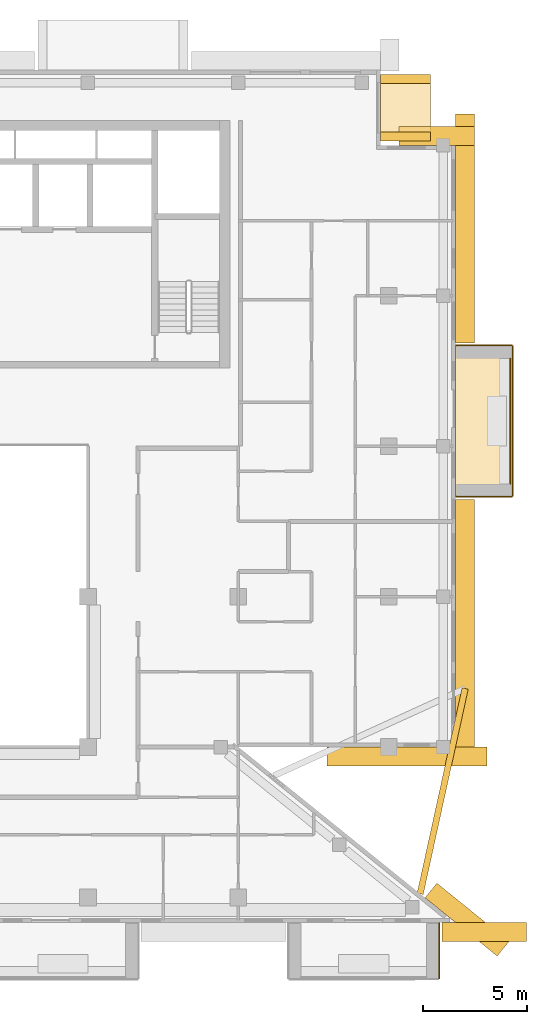
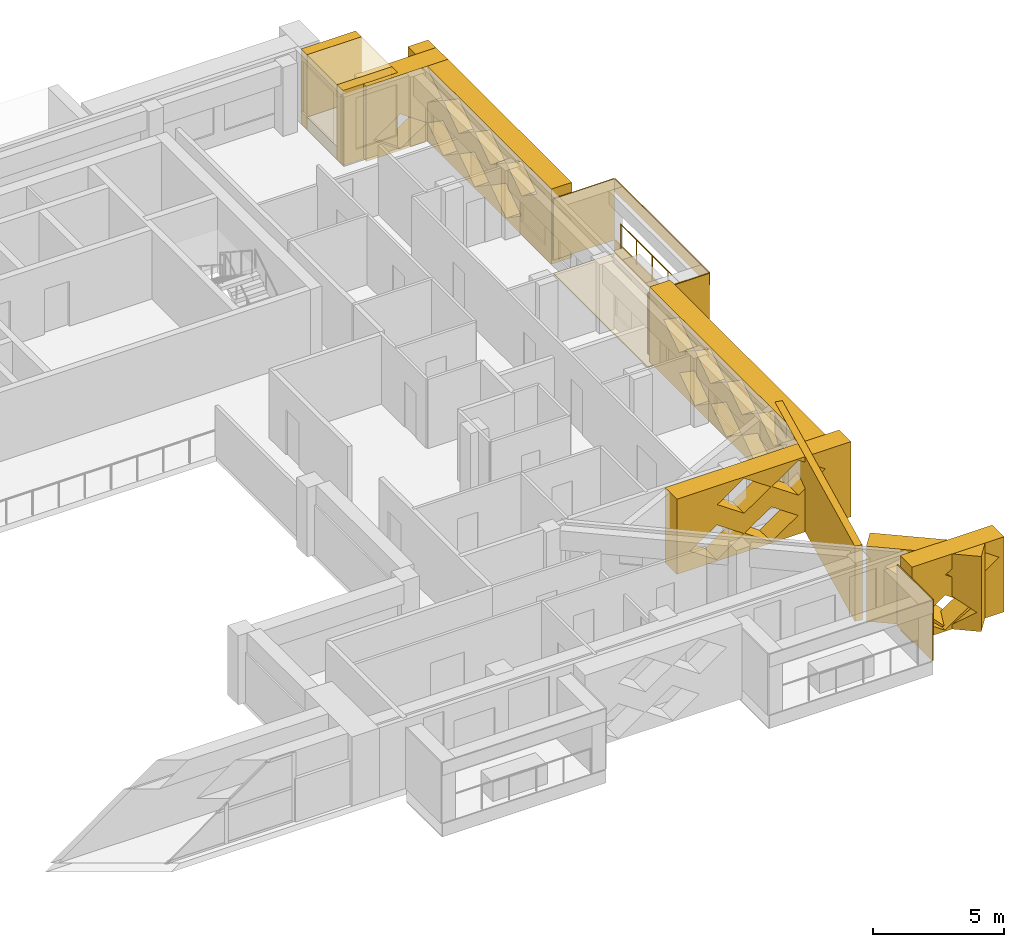
# One storey, part 19 of 19: 17 coverings, 1 railing.
"""IFC4 building model written with IfcOpenShell, lengths in metres."""

from ifc_helpers import new_model, si_unit, direction, frame, origin, origin_2d, place, context, subcontext, project, spatial, polyline, circle, outline, extrude, material, layer, layer_set, type_object, element, save


model = new_model("IFC4")

# Units and contexts
model_context = context("Model", 3, precision=1e-05, world=origin(), true_north=direction((0.0, 1.0)))
body_context = subcontext(model_context, "Body", "Model", "MODEL_VIEW")
ifc_project = project(units=[si_unit("LENGTHUNIT", "METRE"), si_unit("AREAUNIT", "SQUARE_METRE"), si_unit("VOLUMEUNIT", "CUBIC_METRE"), si_unit("PLANEANGLEUNIT", "RADIAN"), si_unit("MASSUNIT", "GRAM", prefix="KILO")], contexts=[model_context])

# Site, building, storey
site_placement = place(None, origin())
site = spatial("IfcSite", under=ifc_project, at=site_placement, CompositionType="ELEMENT")
building_placement = place(site_placement, origin())
building = spatial("IfcBuilding", under=site, at=building_placement, Name="Saffron Iwan Residences", CompositionType="ELEMENT")
storey_placement = place(building_placement, frame((0.0, 0.0, 246.5)))
storey = spatial("IfcBuildingStorey", under=building, at=storey_placement, Name="L66", CompositionType="ELEMENT", Elevation=246.5)

# Railing
ifc_material_1 = material(Name="Stainless steel 316", Category="steel")
railing_type = type_object("IfcRailingType", Name="BALCONY GUARD 1150", PredefinedType="GUARDRAIL", material=ifc_material_1)
railing_placement = place(storey_placement, frame((85.02490234375, 60.60009765625, 0.0)))
element("IfcRailing", 1, at=railing_placement, inside=storey, type_object=railing_type, Name="Balcony guard L66 F2-0", PredefinedType="GUARDRAIL", context=body_context, shape_type="SweptSolid", body=[
    extrude(circle(Radius=0.02392578125, at=origin_2d()), frame((0.0, 0.0, 1.1259765625), z_axis=(0.0, 1.0, 0.0), x_axis=(-1.0, 0.0, 0.0)), (0.0, 0.0, 1.0), 6.0),
    extrude(circle(Radius=0.02099609375, at=origin_2d()), origin(), (0.0, 0.0, 1.0), 1.101806640625),
    extrude(circle(Radius=0.02099609375, at=origin_2d()), frame((0.0, 1.199951171875, 0.0)), (0.0, 0.0, 1.0), 1.101806640625),
    extrude(circle(Radius=0.02099609375, at=origin_2d()), frame((0.0, 2.39990234375, 0.0)), (0.0, 0.0, 1.0), 1.101806640625),
    extrude(circle(Radius=0.02099609375, at=origin_2d()), frame((0.0, 3.60009765625, 0.0)), (0.0, 0.0, 1.0), 1.101806640625),
    extrude(circle(Radius=0.02099609375, at=origin_2d()), frame((0.0, 4.800048828125, 0.0)), (0.0, 0.0, 1.0), 1.101806640625),
    extrude(circle(Radius=0.02099609375, at=origin_2d()), frame((0.0, 6.0, 0.0)), (0.0, 0.0, 1.0), 1.101806640625),
])

# Coverings
ifc_material_2 = material(Name="Precast concrete C40/50 white painted", Category="concrete")
ifc_layer_1 = layer(ifc_material_2, 0.050048828125)
ifc_layer_set_1 = layer_set([ifc_layer_1], Name="Precast concrete C40/50 white painted")
covering_type_1 = type_object("IfcCoveringType", Name="FRAME SKIN PRECAST WHITE 50", PredefinedType="CLADDING", material=ifc_layer_set_1)
for number, where, name in (
    (2, (0.0, 0.0, -0.60009765625), "Frame skin slab edge L66 F2-0"),
    (3, (0.0, 0.0, 2.25), "Frame skin fascia L66 F2-0"),
):
    element("IfcCovering", number, at=place(storey_placement, frame(where)), inside=storey, type_object=covering_type_1, Name=name, PredefinedType="CLADDING", context=body_context, shape_type="SweptSolid", body=[
        extrude(outline(polyline([(85.14990234375, 60.0), (85.14990234375, 67.199951171875), (85.10009765625, 67.199951171875), (85.10009765625, 60.0), (85.14990234375, 60.0)])), origin(), (0.0, 0.0, 1.0), 0.60009765625),
    ])
covering_1_placement = place(storey_placement, frame((0.0, 0.0, -0.64990234375)))
element("IfcCovering", 4, at=covering_1_placement, inside=storey, type_object=covering_type_1, Name="Frame skin soffit L66 F2-0", PredefinedType="CLADDING", context=body_context, shape_type="SweptSolid", body=[
    extrude(outline(polyline([(85.10009765625, 60.0), (85.10009765625, 67.199951171875), (82.39990234375, 67.199951171875), (82.39990234375, 60.0), (85.10009765625, 60.0)])), origin(), (0.0, 0.0, 1.0), 0.0498046875),
])
covering_2_placement = place(storey_placement, origin())
element("IfcCovering", 5, at=covering_2_placement, inside=storey, type_object=covering_type_1, Name="Frame skin fin L66 F2-0a", PredefinedType="CLADDING", context=body_context, shape_type="SweptSolid", body=[
    extrude(outline(polyline([(85.10009765625, 59.949951171875), (85.10009765625, 60.0), (82.39990234375, 60.0), (82.39990234375, 59.949951171875), (85.10009765625, 59.949951171875)])), origin(), (0.0, 0.0, 1.0), 2.85009765625),
])
covering_3_placement = place(storey_placement, origin())
element("IfcCovering", 6, at=covering_3_placement, inside=storey, type_object=covering_type_1, Name="Frame skin fin L66 F2-0b", PredefinedType="CLADDING", context=body_context, shape_type="SweptSolid", body=[
    extrude(outline(polyline([(85.10009765625, 67.199951171875), (85.10009765625, 67.25), (82.39990234375, 67.25), (82.39990234375, 67.199951171875), (85.10009765625, 67.199951171875)])), origin(), (0.0, 0.0, 1.0), 2.85009765625),
])
covering_4_placement = place(storey_placement, origin())
element("IfcCovering", 7, at=covering_4_placement, inside=storey, type_object=covering_type_1, Name="Frame skin fin L66 11-2b", PredefinedType="CLADDING", context=body_context, shape_type="SweptSolid", body=[
    extrude(outline(polyline([(81.60009765625, 36.89990234375), (81.64990234375, 36.89990234375), (81.64990234375, 39.60009765625), (81.60009765625, 39.60009765625), (81.60009765625, 36.89990234375)])), origin(), (0.0, 0.0, 1.0), 2.85009765625),
])
ifc_material_3 = material(Name="Precast concrete C40/50", Category="concrete")
covering_type_2 = type_object("IfcCoveringType", Name="OUTER SKIN LATTICE SCREEN", PredefinedType="CLADDING", material=ifc_material_3)
covering_5_placement = place(storey_placement, frame((84.387939453125, 37.994384765625, -0.280029296875), z_axis=(0.628558089533, 0.777762642509, 0.0), x_axis=(-0.777762642509, 0.628558089533, 0.0)))
element("IfcCovering", 8, at=covering_5_placement, inside=storey, type_object=covering_type_2, Name="OUTER SKIN lattice screen L66 F0.0", PredefinedType="CLADDING", context=body_context, shape_type="SweptSolid", body=[
    extrude(outline(polyline([(0.0, 0.0), (4.439697265625, 0.0), (4.439697265625, 3.5), (0.0, 3.5), (0.0, 0.0)]), holes=[polyline([(0.175537109375, 0.875), (1.35546875, 0.06005859375), (2.535400390625, 0.875), (1.35546875, 1.68994140625), (0.175537109375, 0.875)]), polyline([(1.37548828125, 2.625), (2.555419921875, 1.81005859375), (3.735595703125, 2.625), (2.555419921875, 3.43994140625), (1.37548828125, 2.625)])]), origin(), (0.0, 0.0, 1.0), 0.89990234375),
])
covering_6_placement = place(storey_placement, frame((76.235595703125, 48.0, -0.280029296875), z_axis=(0.0, -1.0, 0.0), x_axis=(1.0, 0.0, 0.0)))
element("IfcCovering", 9, at=covering_6_placement, inside=storey, type_object=covering_type_2, Name="OUTER SKIN lattice screen L66 F1.0", PredefinedType="CLADDING", context=body_context, shape_type="SweptSolid", body=[
    extrude(outline(polyline([(0.0, 0.0), (7.66455078125, 0.0), (7.66455078125, 3.5), (0.0, 3.5), (0.0, 0.0)]), holes=[polyline([(0.58447265625, 0.875), (1.764404296875, 0.06005859375), (2.944580078125, 0.875), (1.764404296875, 1.68994140625), (0.58447265625, 0.875)]), polyline([(2.984619140625, 0.875), (4.16455078125, 0.06005859375), (5.344482421875, 0.875), (4.16455078125, 1.68994140625), (2.984619140625, 0.875)]), polyline([(1.784423828125, 2.625), (2.964599609375, 1.81005859375), (4.14453125, 2.625), (2.964599609375, 3.43994140625), (1.784423828125, 2.625)]), polyline([(4.1845703125, 2.625), (5.364501953125, 1.81005859375), (6.54443359375, 2.625), (5.364501953125, 3.43994140625), (4.1845703125, 2.625)])]), origin(), (0.0, 0.0, 1.0), 0.89990234375),
])
covering_7_placement = place(storey_placement, frame((82.39990234375, 47.10009765625, -0.280029296875), z_axis=(1.0, 0.0, 0.0), x_axis=(0.0, 1.0, 0.0)))
element("IfcCovering", 10, at=covering_7_placement, inside=storey, type_object=covering_type_2, Name="OUTER SKIN lattice screen L66 F2.0", PredefinedType="CLADDING", context=body_context, shape_type="SweptSolid", body=[
    extrude(outline(polyline([(0.0, 0.0), (12.75, 0.0), (12.75, 3.5), (0.0, 3.5), (0.0, 0.0)]), holes=[polyline([(0.919921875, 0.875), (2.10009765625, 0.06005859375), (3.280029296875, 0.875), (2.10009765625, 1.68994140625), (0.919921875, 0.875)]), polyline([(3.320068359375, 0.875), (4.5, 0.06005859375), (5.679931640625, 0.875), (4.5, 1.68994140625), (3.320068359375, 0.875)]), polyline([(5.719970703125, 0.875), (6.89990234375, 0.06005859375), (8.080078125, 0.875), (6.89990234375, 1.68994140625), (5.719970703125, 0.875)]), polyline([(8.1201171875, 0.875), (9.300048828125, 0.06005859375), (10.47998046875, 0.875), (9.300048828125, 1.68994140625), (8.1201171875, 0.875)]), polyline([(2.1201171875, 2.625), (3.300048828125, 1.81005859375), (4.47998046875, 2.625), (3.300048828125, 3.43994140625), (2.1201171875, 2.625)]), polyline([(4.52001953125, 2.625), (5.699951171875, 1.81005859375), (6.8798828125, 2.625), (5.699951171875, 3.43994140625), (4.52001953125, 2.625)]), polyline([(6.919921875, 2.625), (8.10009765625, 1.81005859375), (9.280029296875, 2.625), (8.10009765625, 3.43994140625), (6.919921875, 2.625)]), polyline([(9.320068359375, 2.625), (10.5, 1.81005859375), (11.679931640625, 2.625), (10.5, 3.43994140625), (9.320068359375, 2.625)])]), origin(), (0.0, 0.0, 1.0), 0.900146484375),
])
covering_8_placement = place(storey_placement, frame((82.39990234375, 67.35009765625, -0.280029296875), z_axis=(1.0, 0.0, 0.0), x_axis=(0.0, 1.0, 0.0)))
element("IfcCovering", 11, at=covering_8_placement, inside=storey, type_object=covering_type_2, Name="OUTER SKIN lattice screen L66 F2.1", PredefinedType="CLADDING", context=body_context, shape_type="SweptSolid", body=[
    extrude(outline(polyline([(0.0, 0.0), (10.949951171875, 0.0), (10.949951171875, 3.5), (0.0, 3.5), (0.0, 0.0)]), holes=[polyline([(2.27001953125, 0.875), (3.449951171875, 0.06005859375), (4.6298828125, 0.875), (3.449951171875, 1.68994140625), (2.27001953125, 0.875)]), polyline([(4.669921875, 0.875), (5.85009765625, 0.06005859375), (7.030029296875, 0.875), (5.85009765625, 1.68994140625), (4.669921875, 0.875)]), polyline([(7.070068359375, 0.875), (8.25, 0.06005859375), (9.429931640625, 0.875), (8.25, 1.68994140625), (7.070068359375, 0.875)]), polyline([(1.070068359375, 2.625), (2.25, 1.81005859375), (3.429931640625, 2.625), (2.25, 3.43994140625), (1.070068359375, 2.625)]), polyline([(3.469970703125, 2.625), (4.64990234375, 1.81005859375), (5.830078125, 2.625), (4.64990234375, 3.43994140625), (3.469970703125, 2.625)]), polyline([(5.8701171875, 2.625), (7.050048828125, 1.81005859375), (8.22998046875, 2.625), (7.050048828125, 3.43994140625), (5.8701171875, 2.625)]), polyline([(8.27001953125, 2.625), (9.449951171875, 1.81005859375), (10.6298828125, 2.625), (9.449951171875, 3.43994140625), (8.27001953125, 2.625)])]), origin(), (0.0, 0.0, 1.0), 0.900146484375),
])
covering_9_placement = place(storey_placement, frame((83.300048828125, 76.800048828125, -0.280029296875), z_axis=(0.0, 1.0, 0.0), x_axis=(-1.0, 0.0, 0.0)))
element("IfcCovering", 12, at=covering_9_placement, inside=storey, type_object=covering_type_2, Name="OUTER SKIN lattice screen L66 F3.0", PredefinedType="CLADDING", context=body_context, shape_type="SweptSolid", body=[
    extrude(outline(polyline([(0.0, 0.0), (3.60009765625, 0.0), (3.60009765625, 3.5), (0.0, 3.5), (0.0, 0.0)]), holes=[polyline([(0.919921875, 0.875), (2.10009765625, 0.06005859375), (3.280029296875, 0.875), (2.10009765625, 1.68994140625), (0.919921875, 0.875)])]), origin(), (0.0, 0.0, 1.0), 0.89990234375),
])
covering_10_placement = place(storey_placement, frame((81.75, 39.60009765625, -0.280029296875), z_axis=(0.0, -1.0, 0.0), x_axis=(1.0, 0.0, 0.0)))
element("IfcCovering", 13, at=covering_10_placement, inside=storey, type_object=covering_type_2, Name="OUTER SKIN lattice screen L66 F11.3", PredefinedType="CLADDING", context=body_context, shape_type="SweptSolid", body=[
    extrude(outline(polyline([(0.0, 0.0), (4.04541015625, 0.0), (4.04541015625, 3.5), (0.0, 3.5), (0.0, 0.0)]), holes=[polyline([(0.27001953125, 0.875), (1.449951171875, 0.06005859375), (2.6298828125, 0.875), (1.449951171875, 1.68994140625), (0.27001953125, 0.875)]), polyline([(1.469970703125, 2.625), (2.64990234375, 1.81005859375), (3.830078125, 2.625), (2.64990234375, 3.43994140625), (1.469970703125, 2.625)])]), origin(), (0.0, 0.0, 1.0), 0.900146484375),
])
ifc_layer_2 = layer(ifc_material_2, 0.300048828125)
ifc_layer_set_2 = layer_set([ifc_layer_2], Name="Precast concrete C40/50 white painted")
covering_type_3 = type_object("IfcCoveringType", Name="PROW NOSE BLADE PRECAST WHITE", PredefinedType="CLADDING", material=ifc_layer_set_2)
covering_11_placement = place(storey_placement, frame((0.0, 0.0, -0.280029296875)))
element("IfcCovering", 14, at=covering_11_placement, inside=storey, type_object=covering_type_3, Name="Prow nose blade L66 a", PredefinedType="CLADDING", context=body_context, shape_type="SweptSolid", body=[
    extrude(outline(polyline([(80.847412109375, 40.9404296875), (83.001708984375, 50.769287109375), (82.70849609375, 50.83349609375), (80.55419921875, 41.004638671875), (80.847412109375, 40.9404296875)])), origin(), (0.0, 0.0, 1.0), 3.5),
])
covering_type_4 = type_object("IfcCoveringType", Name="WHITE SUN FRAME PRECAST", PredefinedType="CLADDING", material=ifc_material_2)
for number, where, z_axis, x_axis, name in (
    (15, (78.800048828125, 77.0, -0.280029296875), (1.0, 0.0, 0.0), (0.0, 1.0, 0.0), "Sun frame L66 F4 0.2a"),
    (16, (78.800048828125, 79.75, -0.280029296875), (1.0, 0.0, 0.0), (0.0, 1.0, 0.0), "Sun frame L66 F4 0.2b"),
):
    element("IfcCovering", number, at=place(storey_placement, frame(where, z_axis=z_axis, x_axis=x_axis)), inside=storey, type_object=covering_type_4, Name=name, PredefinedType="CLADDING", context=body_context, shape_type="SweptSolid", body=[
        extrude(outline(polyline([(0.0, 0.0), (0.449951171875, 0.0), (0.449951171875, 3.5), (0.0, 3.5), (0.0, 0.0)])), origin(), (0.0, 0.0, 1.0), 2.39990234375),
    ])
for number, where, z_axis, x_axis, name in (
    (17, (78.800048828125, 77.449951171875, 2.6201171875), (1.0, 0.0, 0.0), (0.0, 1.0, 0.0), "Sun frame L66 F4 0.2h"),
    (18, (78.800048828125, 77.449951171875, -0.280029296875), (1.0, 0.0, 0.0), (0.0, 1.0, 0.0), "Sun frame L66 F4 0.2s"),
):
    element("IfcCovering", number, at=place(storey_placement, frame(where, z_axis=z_axis, x_axis=x_axis)), inside=storey, type_object=covering_type_4, Name=name, PredefinedType="CLADDING", context=body_context, shape_type="SweptSolid", body=[
        extrude(outline(polyline([(0.0, 0.0), (2.300048828125, 0.0), (2.300048828125, 0.60009765625), (0.0, 0.60009765625), (0.0, 0.0)])), origin(), (0.0, 0.0, 1.0), 2.39990234375),
    ])

save(model, "model.ifc")
